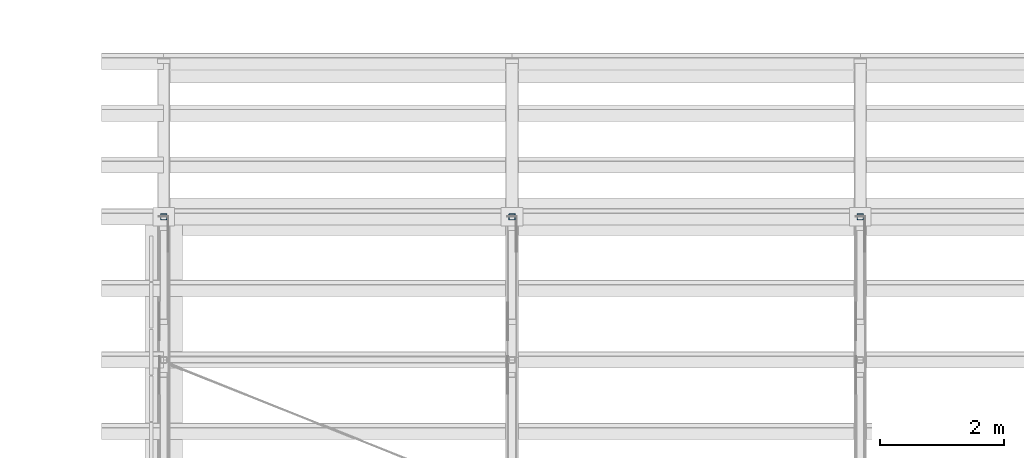
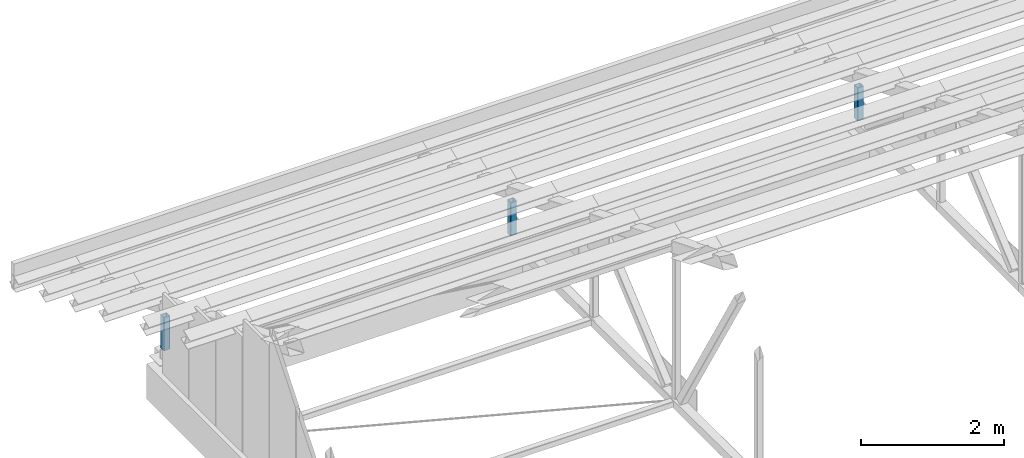
# One storey, part 31 of 71: 3 members.
"""IFC4 building model written with IfcOpenShell, lengths in metres."""

from ifc_helpers import new_model, si_unit, direction, frame, origin, origin_2d, place, context, subcontext, project, spatial, hollow_rectangle, extrude, material, material_profile, profile_set, type_object, element, save


model = new_model("IFC4")

# Units and contexts
model_context = context("Model", 3, precision=1e-05, world=origin(), true_north=direction((0.0, 1.0)))
body_context = subcontext(model_context, "Body", "Model", "MODEL_VIEW")
ifc_project = project(units=[si_unit("LENGTHUNIT", "METRE"), si_unit("AREAUNIT", "SQUARE_METRE"), si_unit("VOLUMEUNIT", "CUBIC_METRE"), si_unit("PLANEANGLEUNIT", "RADIAN"), si_unit("MASSUNIT", "GRAM", prefix="KILO")], contexts=[model_context])

# Site, building, storey
site_placement = place(None, origin())
site = spatial("IfcSite", under=ifc_project, at=site_placement, CompositionType="ELEMENT")
building_placement = place(site_placement, origin())
building = spatial("IfcBuilding", under=site, at=building_placement, Name="Wasatch Bagh Community Centre", CompositionType="ELEMENT")
storey_placement = place(building_placement, frame((0.0, 0.0, 12.60009765625)))
storey = spatial("IfcBuildingStorey", under=building, at=storey_placement, Name="L03", CompositionType="ELEMENT", Elevation=12.60009765625)

# Members
ifc_material = material(Name="ASTM A500 Grade C steel", Category="steel")
ifc_material_profile = material_profile(ifc_material, hollow_rectangle(XDim=0.1015625, YDim=0.1015625, WallThickness=0.005859375, InnerFilletRadius=0.005859375, OuterFilletRadius=0.01171875, at=origin_2d()), Name="HSS4x4x1/4")
ifc_profile_set = profile_set([ifc_material_profile], Name="ASTM A500 Grade C steel")
member_type = type_object("IfcMemberType", Name="SH HSS4x4x1/4 post", PredefinedType="POST", material=ifc_profile_set)
for number, where, z_axis, x_axis, name in (
    (1, (112.199951171875, 65.800048828125, 0.76220703125), (0.0, 0.0, 1.0), (1.0, 0.0, 0.0), "SH.SA1.PS13"),
    (2, (117.800048828125, 65.800048828125, 0.76220703125), (0.0, 0.0, 1.0), (1.0, 0.0, 0.0), "SH.SA2.PS13"),
    (3, (123.39990234375, 65.800048828125, 0.76220703125), (0.0, 0.0, 1.0), (1.0, 0.0, 0.0), "SH.SA3.PS13"),
):
    element("IfcMember", number, at=place(storey_placement, frame(where, z_axis=z_axis, x_axis=x_axis)), inside=storey, type_object=member_type, Name=name, PredefinedType="POST", context=body_context, shape_type="SweptSolid", body=[
        extrude(hollow_rectangle(XDim=0.1015625, YDim=0.1015625, WallThickness=0.005859375, InnerFilletRadius=0.005859375, OuterFilletRadius=0.01171875, at=origin_2d()), origin(), (0.0, 0.0, 1.0), 0.5673828125),
    ])

save(model, "model.ifc")
